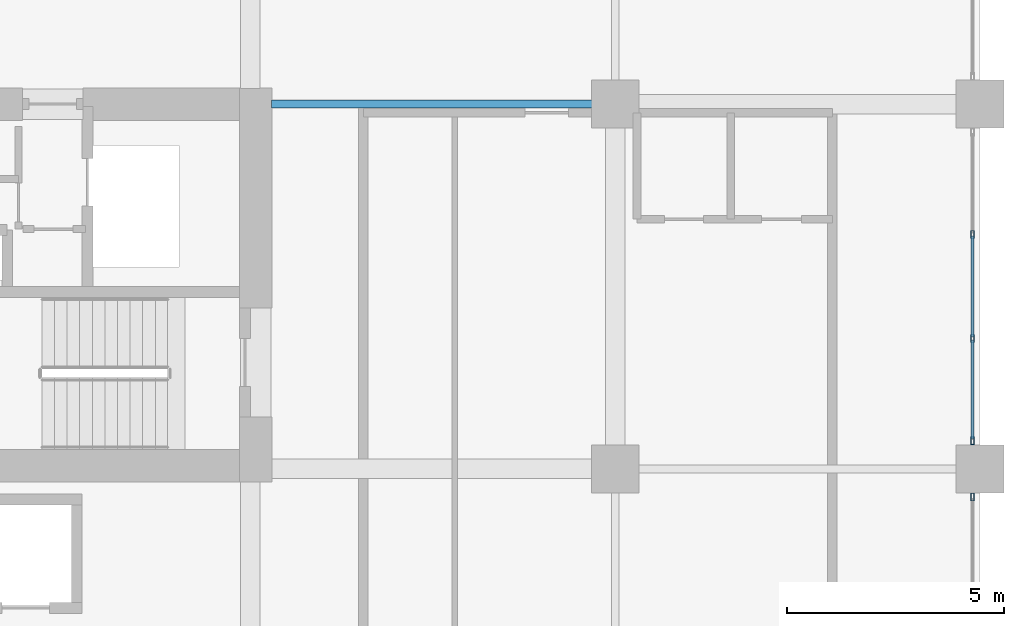
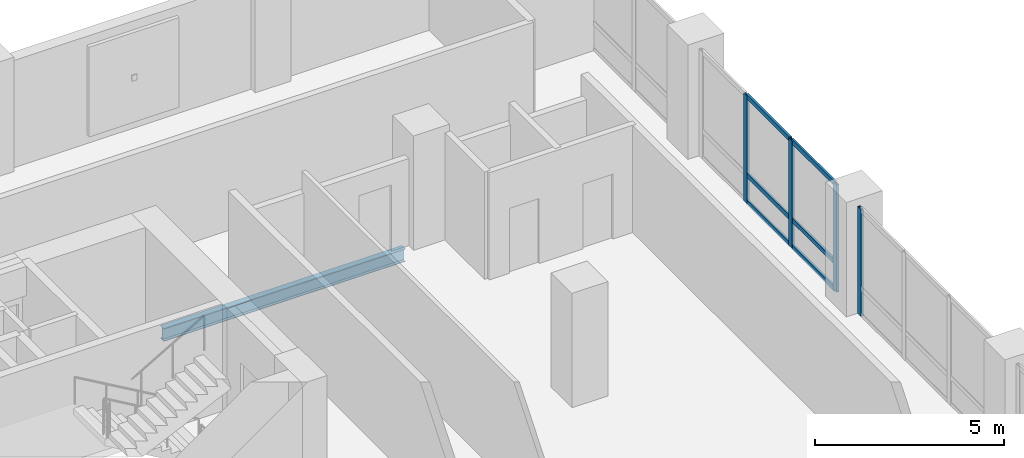
# One storey, part 6 of 22: 10 members, 1 beam, 2 elements without a shape of their own.
"""IFC4 building model written with IfcOpenShell, lengths in metres."""

from ifc_helpers import new_model, si_unit, direction, frame, origin, origin_2d, place, context, subcontext, project, spatial, hollow_rectangle, i_section, extrude, material, layer, layer_set, material_profile, profile_set, type_object, element, aggregate, save


model = new_model("IFC4")

# Units and contexts
model_context = context("Model", 3, precision=1e-05, world=origin(), true_north=direction((0.0, 1.0)))
body_context = subcontext(model_context, "Body", "Model", "MODEL_VIEW")
ifc_project = project(units=[si_unit("LENGTHUNIT", "METRE"), si_unit("AREAUNIT", "SQUARE_METRE"), si_unit("VOLUMEUNIT", "CUBIC_METRE"), si_unit("PLANEANGLEUNIT", "RADIAN"), si_unit("MASSUNIT", "GRAM", prefix="KILO")], contexts=[model_context])

# Site, building, storey
site_placement = place(None, origin())
site = spatial("IfcSite", under=ifc_project, at=site_placement, CompositionType="ELEMENT")
building_placement = place(site_placement, origin())
building = spatial("IfcBuilding", under=site, at=building_placement, Name="Koriwani Terraces Tower", CompositionType="ELEMENT")
storey_placement = place(building_placement, frame((0.0, 0.0, 182.800048828125)))
storey = spatial("IfcBuildingStorey", under=building, at=storey_placement, Name="L44", CompositionType="ELEMENT", Elevation=182.800048828125)

# Curtain wall, members
ifc_material_1 = material(Name="Anodised Bronze Aluminium", Category="aluminium")
ifc_layer = layer(ifc_material_1, 0.169921875, Name="Anodised Bronze Aluminium")
ifc_layer_set = layer_set([ifc_layer], Name="Anodised Bronze Aluminium")
curtain_wall_type = type_object("IfcCurtainWallType", Name="CW_RES_ZONE3", PredefinedType="NOTDEFINED", material=ifc_layer_set)
curtain_wall_1_placement = place(storey_placement, origin())
curtain_wall_1 = element("IfcCurtainWall", 1, at=curtain_wall_1_placement, inside=storey, type_object=curtain_wall_type, Name="L44 Unitised Curtain Wall (E_TIP) Bay 2", PredefinedType="NOTDEFINED")
ifc_material_profile_1 = material_profile(ifc_material_1, hollow_rectangle(XDim=0.074951171875, YDim=0.179931640625, WallThickness=0.006103515625, at=origin_2d()), Name="Anodised Bronze Aluminium", Category="LoadBearing")
ifc_profile_set_1 = profile_set([ifc_material_profile_1], Name="Anodised Bronze Aluminium")
member_type_1 = type_object("IfcMemberType", Name="CW_MULLION_180X75", PredefinedType="MULLION", material=ifc_profile_set_1)
member_1_placement = place(storey_placement, frame((75.425048828125, 22.19677734375, 0.0), z_axis=(0.0, 0.0, 1.0), x_axis=(1.0, 0.0, 0.0)))
member_1 = element("IfcMember", 2, at=member_1_placement, type_object=member_type_1, Name="CW-Z3 mullion 2", PredefinedType="MULLION", context=body_context, shape_type="SweptSolid", body=[
    extrude(hollow_rectangle(XDim=0.074951171875, YDim=0.179931640625, WallThickness=0.006103515625, at=origin_2d()), origin(), (0.0, 0.0, 1.0), 3.469970703125),
])
member_2_placement = place(storey_placement, frame((75.425048828125, 19.80322265625, 0.0), z_axis=(0.0, 0.0, 1.0), x_axis=(1.0, 0.0, 0.0)))
member_2 = element("IfcMember", 3, at=member_2_placement, type_object=member_type_1, Name="CW-Z3 mullion 3", PredefinedType="MULLION", context=body_context, shape_type="SweptSolid", body=[
    extrude(hollow_rectangle(XDim=0.074951171875, YDim=0.179931640625, WallThickness=0.006103515625, at=origin_2d()), origin(), (0.0, 0.0, 1.0), 3.469970703125),
])
member_3_placement = place(storey_placement, frame((75.425048828125, 17.447509765625, 0.0), z_axis=(0.0, 0.0, 1.0), x_axis=(1.0, 0.0, 0.0)))
member_3 = element("IfcMember", 4, at=member_3_placement, type_object=member_type_1, Name="CW-Z3 mullion 4", PredefinedType="MULLION", context=body_context, shape_type="SweptSolid", body=[
    extrude(hollow_rectangle(XDim=0.074951171875, YDim=0.179931640625, WallThickness=0.006103515625, at=origin_2d()), origin(), (0.0, 0.0, 1.0), 3.469970703125),
])

# Curtain wall, member
curtain_wall_2_placement = place(storey_placement, origin())
curtain_wall_2 = element("IfcCurtainWall", 5, at=curtain_wall_2_placement, inside=storey, type_object=curtain_wall_type, Name="L44 Unitised Curtain Wall (E_TIP) Bay 3", PredefinedType="NOTDEFINED")
member_4_placement = place(storey_placement, frame((75.425048828125, 16.152587890625, 0.0), z_axis=(0.0, 0.0, 1.0), x_axis=(1.0, 0.0, 0.0)))
member_4 = element("IfcMember", 6, at=member_4_placement, type_object=member_type_1, Name="CW-Z3 mullion 1", PredefinedType="MULLION", context=body_context, shape_type="SweptSolid", body=[
    extrude(hollow_rectangle(XDim=0.074951171875, YDim=0.179931640625, WallThickness=0.006103515625, at=origin_2d()), origin(), (0.0, 0.0, 1.0), 3.469970703125),
])
aggregate(curtain_wall_2, [member_4])

# Member
ifc_material_profile_2 = material_profile(ifc_material_1, hollow_rectangle(XDim=0.06494140625, YDim=0.14990234375, WallThickness=0.0048828125, at=origin_2d()), Name="Anodised Bronze Aluminium", Category="LoadBearing")
ifc_profile_set_2 = profile_set([ifc_material_profile_2], Name="Anodised Bronze Aluminium")
member_type_2 = type_object("IfcMemberType", Name="CW_TRANSOM_150X65", PredefinedType="USERDEFINED", material=ifc_profile_set_2)
member_5_placement = place(storey_placement, frame((75.425048828125, 22.1591796875, 0.032470703125), z_axis=(0.0, -1.0, 0.0), x_axis=(1.0, 0.0, 0.0)))
member_5 = element("IfcMember", 7, at=member_5_placement, type_object=member_type_2, Name="CW-Z3 transom 2.1", ObjectType="TRANSOM", PredefinedType="USERDEFINED", context=body_context, shape_type="SweptSolid", body=[
    extrude(hollow_rectangle(XDim=0.06494140625, YDim=0.14990234375, WallThickness=0.0048828125, at=origin_2d()), origin(), (0.0, 0.0, 1.0), 2.318359375),
])

member_6_placement = place(storey_placement, frame((75.425048828125, 22.1591796875, 0.89990234375), z_axis=(0.0, -1.0, 0.0), x_axis=(1.0, 0.0, 0.0)))
member_6 = element("IfcMember", 8, at=member_6_placement, type_object=member_type_2, Name="CW-Z3 transom 2.2", ObjectType="TRANSOM", PredefinedType="USERDEFINED", context=body_context, shape_type="SweptSolid", body=[
    extrude(hollow_rectangle(XDim=0.06494140625, YDim=0.14990234375, WallThickness=0.0048828125, at=origin_2d()), origin(), (0.0, 0.0, 1.0), 2.318359375),
])

member_7_placement = place(storey_placement, frame((75.425048828125, 22.1591796875, 3.4375), z_axis=(0.0, -1.0, 0.0), x_axis=(1.0, 0.0, 0.0)))
member_7 = element("IfcMember", 9, at=member_7_placement, type_object=member_type_2, Name="CW-Z3 transom 2.3", ObjectType="TRANSOM", PredefinedType="USERDEFINED", context=body_context, shape_type="SweptSolid", body=[
    extrude(hollow_rectangle(XDim=0.06494140625, YDim=0.14990234375, WallThickness=0.0048828125, at=origin_2d()), origin(), (0.0, 0.0, 1.0), 2.318359375),
])

member_8_placement = place(storey_placement, frame((75.425048828125, 19.765869140625, 0.032470703125), z_axis=(0.0, -1.0, 0.0), x_axis=(1.0, 0.0, 0.0)))
member_8 = element("IfcMember", 10, at=member_8_placement, type_object=member_type_2, Name="CW-Z3 transom 3.1", ObjectType="TRANSOM", PredefinedType="USERDEFINED", context=body_context, shape_type="SweptSolid", body=[
    extrude(hollow_rectangle(XDim=0.06494140625, YDim=0.14990234375, WallThickness=0.0048828125, at=origin_2d()), origin(), (0.0, 0.0, 1.0), 2.28076171875),
])

member_9_placement = place(storey_placement, frame((75.425048828125, 19.765869140625, 0.89990234375), z_axis=(0.0, -1.0, 0.0), x_axis=(1.0, 0.0, 0.0)))
member_9 = element("IfcMember", 11, at=member_9_placement, type_object=member_type_2, Name="CW-Z3 transom 3.2", ObjectType="TRANSOM", PredefinedType="USERDEFINED", context=body_context, shape_type="SweptSolid", body=[
    extrude(hollow_rectangle(XDim=0.06494140625, YDim=0.14990234375, WallThickness=0.0048828125, at=origin_2d()), origin(), (0.0, 0.0, 1.0), 2.28076171875),
])

member_10_placement = place(storey_placement, frame((75.425048828125, 19.765869140625, 3.4375), z_axis=(0.0, -1.0, 0.0), x_axis=(1.0, 0.0, 0.0)))
member_10 = element("IfcMember", 12, at=member_10_placement, type_object=member_type_2, Name="CW-Z3 transom 3.3", ObjectType="TRANSOM", PredefinedType="USERDEFINED", context=body_context, shape_type="SweptSolid", body=[
    extrude(hollow_rectangle(XDim=0.06494140625, YDim=0.14990234375, WallThickness=0.0048828125, at=origin_2d()), origin(), (0.0, 0.0, 1.0), 2.28076171875),
])

aggregate(curtain_wall_1, [member_1, member_2, member_3, member_5, member_6, member_7, member_8, member_9, member_10])

# Beam
ifc_material_2 = material(Name="Steel ASTM A572 Grade 50", Category="steel")
ifc_material_profile_3 = material_profile(ifc_material_2, i_section(OverallWidth=0.180908203125, OverallDepth=0.4169921875, WebThickness=0.010986328125, FlangeThickness=0.018310546875, at=origin_2d()), Name="Steel ASTM A572 Grade 50", Category="LoadBearing")
ifc_profile_set_3 = profile_set([ifc_material_profile_3], Name="Steel ASTM A572 Grade 50")
beam_type = type_object("IfcBeamType", Name="STEEL_BEAM_W410X85", PredefinedType="JOIST", material=ifc_profile_set_3)
beam_placement = place(storey_placement, frame((59.280029296875, 25.199951171875, -0.4384765625), z_axis=(1.0, 0.0, 0.0), x_axis=(0.0, 1.0, 0.0)))
element("IfcBeam", 13, at=beam_placement, inside=storey, type_object=beam_type, Name="L44 Grid Beam D (58.8-67.2m)", PredefinedType="JOIST", context=body_context, shape_type="SweptSolid", body=[
    extrude(i_section(OverallWidth=0.180908203125, OverallDepth=0.4169921875, WebThickness=0.010986328125, FlangeThickness=0.018310546875, at=origin_2d()), origin(), (0.0, 0.0, 1.0), 7.389892578125),
])

save(model, "model.ifc")
